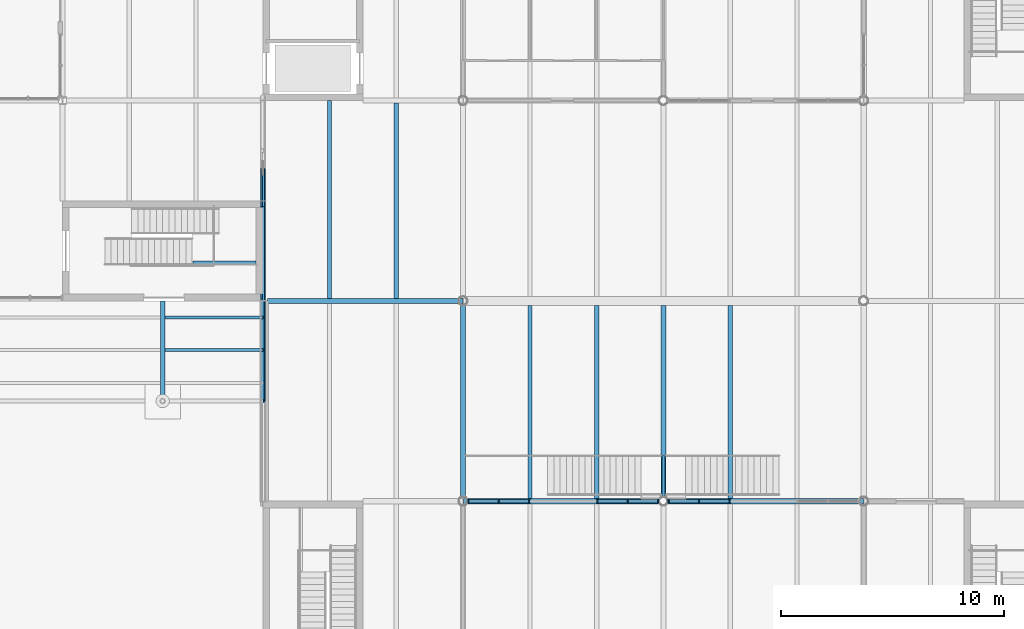
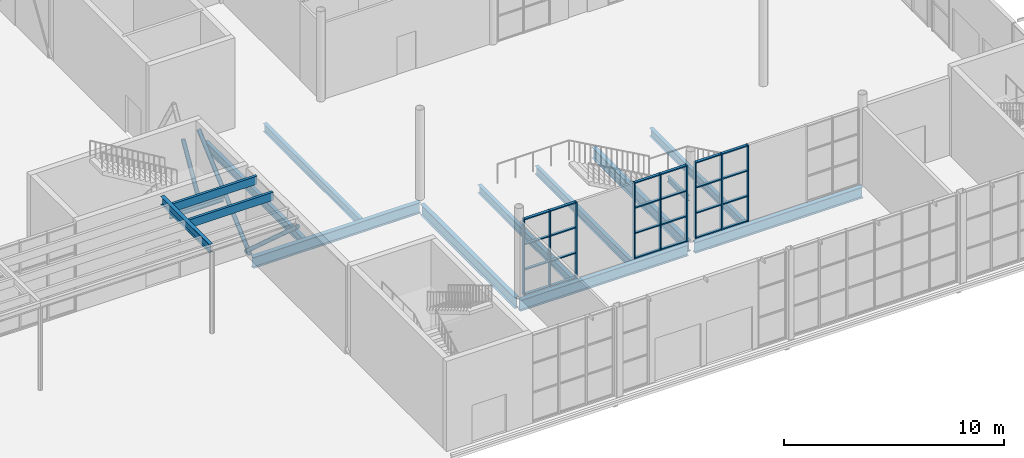
# One storey, part 21 of 63: 36 members, 15 beams, 3 elements without a shape of their own.
"""IFC4 building model written with IfcOpenShell, lengths in metres."""

from ifc_helpers import new_model, si_unit, direction, frame, origin, origin_2d, place, context, subcontext, project, spatial, rectangle, hollow_circle, i_section, extrude, material, layer, layer_set, material_profile, profile_set, type_object, element, aggregate, save


model = new_model("IFC4")

# Units and contexts
model_context = context("Model", 3, precision=1e-05, world=origin(), true_north=direction((0.0, 1.0)))
body_context = subcontext(model_context, "Body", "Model", "MODEL_VIEW")
ifc_project = project(units=[si_unit("LENGTHUNIT", "METRE"), si_unit("AREAUNIT", "SQUARE_METRE"), si_unit("VOLUMEUNIT", "CUBIC_METRE"), si_unit("PLANEANGLEUNIT", "RADIAN"), si_unit("MASSUNIT", "GRAM", prefix="KILO")], contexts=[model_context])

# Site, building, storey
site_placement = place(None, origin())
site = spatial("IfcSite", under=ifc_project, at=site_placement, CompositionType="ELEMENT")
building_placement = place(site_placement, origin())
building = spatial("IfcBuilding", under=site, at=building_placement, Name="Halyard Row Museum", CompositionType="ELEMENT")
storey_placement = place(building_placement, origin())
storey = spatial("IfcBuildingStorey", under=building, at=storey_placement, Name="L00", CompositionType="ELEMENT", Elevation=0.0)

# Members
ifc_material_1 = material(Name="Steel Grade C350L0", Category="steel")
ifc_material_profile_1 = material_profile(ifc_material_1, hollow_circle(Radius=0.109619140625, WallThickness=0.00830078125, at=origin_2d()), Name="219.1x8.2CHS")
ifc_profile_set_1 = profile_set([ifc_material_profile_1], Name="Steel Grade C350L0")
member_type_1 = type_object("IfcMemberType", Name="Brace 219.1x8.2CHS", PredefinedType="BRACE", material=ifc_profile_set_1)
member_1_placement = place(storey_placement, frame((72.0, 18.169921875, 0.109619140625), z_axis=(0.0, -0.744148559148, 0.668014162962), x_axis=(1.0, 0.0, 0.0)))
element("IfcMember", 1, at=member_1_placement, inside=storey, type_object=member_type_1, Name="Brace L00 X72 9-18 B", PredefinedType="BRACE", context=body_context, shape_type="SweptSolid", body=[
    extrude(hollow_circle(Radius=0.109619140625, WallThickness=0.00830078125, at=origin_2d()), origin(), (0.0, 0.0, 1.0), 6.275634765625),
])
member_2_placement = place(storey_placement, frame((72.0, 17.830078125, 0.109619140625), z_axis=(0.0, 0.750200565965, 0.661210337809), x_axis=(-1.0, 0.0, 0.0)))
element("IfcMember", 2, at=member_2_placement, inside=storey, type_object=member_type_1, Name="Brace L00 X72 18-27 A", PredefinedType="BRACE", context=body_context, shape_type="SweptSolid", body=[
    extrude(hollow_circle(Radius=0.109619140625, WallThickness=0.00830078125, at=origin_2d()), origin(), (0.0, 0.0, 1.0), 6.224853515625),
])
member_3_placement = place(storey_placement, frame((72.0, 22.330078125, 0.109619140625), z_axis=(0.0, 0.504405919643, 0.863466657277), x_axis=(-1.0, 0.0, 0.0)))
element("IfcMember", 3, at=member_3_placement, inside=storey, type_object=member_type_1, Name="Brace L00 X72 22.5-27 A", PredefinedType="BRACE", context=body_context, shape_type="SweptSolid", body=[
    extrude(hollow_circle(Radius=0.109619140625, WallThickness=0.00830078125, at=origin_2d()), origin(), (0.0, 0.0, 1.0), 3.1494140625),
])

# Beams
ifc_material_2 = material(Name="Steel Grade 300", Category="steel")
ifc_material_profile_2 = material_profile(ifc_material_2, i_section(OverallWidth=0.18994140625, OverallDepth=0.453857421875, WebThickness=0.008544921875, FlangeThickness=0.0126953125, FilletRadius=0.011474609375, at=origin_2d()), Name="460UB67.1")
ifc_profile_set_2 = profile_set([ifc_material_profile_2], Name="Steel Grade 300")
beam_type_1 = type_object("IfcBeamType", Name="Canopy primary beam 460UB67.1", PredefinedType="BEAM", material=ifc_profile_set_2)
beam_1_placement = place(storey_placement, frame((67.5, 13.5830078125, 4.623046875), z_axis=(0.0, 1.0, 0.0), x_axis=(-1.0, 0.0, 0.0)))
element("IfcBeam", 4, at=beam_1_placement, inside=storey, type_object=beam_type_1, Name="Canopy primary beam 67.5", PredefinedType="BEAM", context=body_context, shape_type="SweptSolid", body=[
    extrude(i_section(OverallWidth=0.18994140625, OverallDepth=0.453857421875, WebThickness=0.008544921875, FlangeThickness=0.0126953125, FilletRadius=0.011474609375, at=origin_2d()), origin(), (0.0, 0.0, 1.0), 4.4169921875),
])
ifc_material_3 = material(Name="Glulam GL12 radiata pine", Category="wood")
ifc_material_profile_3 = material_profile(ifc_material_3, rectangle(XDim=0.135009765625, YDim=0.449951171875, at=origin_2d()), Name="GL12 135x450")
ifc_profile_set_3 = profile_set([ifc_material_profile_3], Name="Glulam GL12 radiata pine")
beam_type_2 = type_object("IfcBeamType", Name="Canopy soffit joist GL12 135x450", PredefinedType="JOIST", material=ifc_profile_set_3)
for number, where, z_axis, x_axis, name in (
    (5, (67.594970703125, 15.79150390625, 4.625), (1.0, 0.0, 0.0), (0.0, 1.0, 0.0), "Canopy soffit joist 6.2"),
    (6, (67.594970703125, 17.263916015625, 4.625), (1.0, 0.0, 0.0), (0.0, 1.0, 0.0), "Canopy soffit joist 6.3"),
):
    element("IfcBeam", number, at=place(storey_placement, frame(where, z_axis=z_axis, x_axis=x_axis)), inside=storey, type_object=beam_type_2, Name=name, PredefinedType="JOIST", context=body_context, shape_type="SweptSolid", body=[
        extrude(rectangle(XDim=0.135009765625, YDim=0.449951171875, at=origin_2d()), origin(), (0.0, 0.0, 1.0), 4.405029296875),
    ])

# Curtain wall, members
ifc_material_4 = material(Name="Double glazed unit, low-emissivity", Category="glass")
ifc_layer = layer(ifc_material_4, 0.179931640625)
ifc_layer_set = layer_set([ifc_layer], Name="Double glazed unit, low-emissivity")
curtain_wall_type = type_object("IfcCurtainWallType", Name="Curtain wall stick 180 deep", PredefinedType="NOTDEFINED", material=ifc_layer_set)
curtain_wall_1_placement = place(storey_placement, origin())
curtain_wall_1 = element("IfcCurtainWall", 7, at=curtain_wall_1_placement, inside=storey, type_object=curtain_wall_type, Name="Curtain wall CW134", PredefinedType="NOTDEFINED")
ifc_material_5 = material(Name="Powder-coated aluminium section", Category="aluminium")
ifc_material_profile_4 = material_profile(ifc_material_5, rectangle(XDim=0.179931640625, YDim=0.06005859375, at=origin_2d()), Name="180x60 mullion")
ifc_profile_set_4 = profile_set([ifc_material_profile_4], Name="Powder-coated aluminium section")
member_type_2 = type_object("IfcMemberType", Name="Curtain wall mullion CM2 60 x 180", PredefinedType="MULLION", material=ifc_profile_set_4)
member_4_placement = place(storey_placement, frame((81.233154296875, 9.0, 0.0), z_axis=(0.0, 0.0, 1.0), x_axis=(0.0, 1.0, 0.0)))
member_4 = element("IfcMember", 8, at=member_4_placement, type_object=member_type_2, Name="CW134 mullion 1", PredefinedType="MULLION", context=body_context, shape_type="SweptSolid", body=[
    extrude(rectangle(XDim=0.179931640625, YDim=0.06005859375, at=origin_2d()), origin(), (0.0, 0.0, 1.0), 4.22802734375),
])
member_5_placement = place(storey_placement, frame((82.6015625, 9.0, 0.0), z_axis=(0.0, 0.0, 1.0), x_axis=(0.0, 1.0, 0.0)))
member_5 = element("IfcMember", 9, at=member_5_placement, type_object=member_type_2, Name="CW134 mullion 2", PredefinedType="MULLION", context=body_context, shape_type="SweptSolid", body=[
    extrude(rectangle(XDim=0.179931640625, YDim=0.06005859375, at=origin_2d()), origin(), (0.0, 0.0, 1.0), 4.22802734375),
])
member_6_placement = place(storey_placement, frame((83.969970703125, 9.0, 0.0), z_axis=(0.0, 0.0, 1.0), x_axis=(0.0, 1.0, 0.0)))
member_6 = element("IfcMember", 10, at=member_6_placement, type_object=member_type_2, Name="CW134 mullion 3", PredefinedType="MULLION", context=body_context, shape_type="SweptSolid", body=[
    extrude(rectangle(XDim=0.179931640625, YDim=0.06005859375, at=origin_2d()), origin(), (0.0, 0.0, 1.0), 4.22802734375),
])

curtain_wall_2_placement = place(storey_placement, origin())
curtain_wall_2 = element("IfcCurtainWall", 11, at=curtain_wall_2_placement, inside=storey, type_object=curtain_wall_type, Name="Curtain wall CW135", PredefinedType="NOTDEFINED")
member_7_placement = place(storey_placement, frame((87.030029296875, 9.0, 0.0), z_axis=(0.0, 0.0, 1.0), x_axis=(0.0, 1.0, 0.0)))
member_7 = element("IfcMember", 12, at=member_7_placement, type_object=member_type_2, Name="CW135 mullion 1", PredefinedType="MULLION", context=body_context, shape_type="SweptSolid", body=[
    extrude(rectangle(XDim=0.179931640625, YDim=0.06005859375, at=origin_2d()), origin(), (0.0, 0.0, 1.0), 4.22802734375),
])
member_8_placement = place(storey_placement, frame((88.3984375, 9.0, 0.0), z_axis=(0.0, 0.0, 1.0), x_axis=(0.0, 1.0, 0.0)))
member_8 = element("IfcMember", 13, at=member_8_placement, type_object=member_type_2, Name="CW135 mullion 2", PredefinedType="MULLION", context=body_context, shape_type="SweptSolid", body=[
    extrude(rectangle(XDim=0.179931640625, YDim=0.06005859375, at=origin_2d()), origin(), (0.0, 0.0, 1.0), 4.22802734375),
])
member_9_placement = place(storey_placement, frame((89.766845703125, 9.0, 0.0), z_axis=(0.0, 0.0, 1.0), x_axis=(0.0, 1.0, 0.0)))
member_9 = element("IfcMember", 14, at=member_9_placement, type_object=member_type_2, Name="CW135 mullion 3", PredefinedType="MULLION", context=body_context, shape_type="SweptSolid", body=[
    extrude(rectangle(XDim=0.179931640625, YDim=0.06005859375, at=origin_2d()), origin(), (0.0, 0.0, 1.0), 4.22802734375),
])

curtain_wall_3_placement = place(storey_placement, origin())
curtain_wall_3 = element("IfcCurtainWall", 15, at=curtain_wall_3_placement, inside=storey, type_object=curtain_wall_type, Name="Curtain wall CW136", PredefinedType="NOTDEFINED")
member_10_placement = place(storey_placement, frame((90.233154296875, 9.0, 0.0), z_axis=(0.0, 0.0, 1.0), x_axis=(0.0, 1.0, 0.0)))
member_10 = element("IfcMember", 16, at=member_10_placement, type_object=member_type_2, Name="CW136 mullion 1", PredefinedType="MULLION", context=body_context, shape_type="SweptSolid", body=[
    extrude(rectangle(XDim=0.179931640625, YDim=0.06005859375, at=origin_2d()), origin(), (0.0, 0.0, 1.0), 4.22802734375),
])
member_11_placement = place(storey_placement, frame((91.6015625, 9.0, 0.0), z_axis=(0.0, 0.0, 1.0), x_axis=(0.0, 1.0, 0.0)))
member_11 = element("IfcMember", 17, at=member_11_placement, type_object=member_type_2, Name="CW136 mullion 2", PredefinedType="MULLION", context=body_context, shape_type="SweptSolid", body=[
    extrude(rectangle(XDim=0.179931640625, YDim=0.06005859375, at=origin_2d()), origin(), (0.0, 0.0, 1.0), 4.22802734375),
])
member_12_placement = place(storey_placement, frame((92.969970703125, 9.0, 0.0), z_axis=(0.0, 0.0, 1.0), x_axis=(0.0, 1.0, 0.0)))
member_12 = element("IfcMember", 18, at=member_12_placement, type_object=member_type_2, Name="CW136 mullion 3", PredefinedType="MULLION", context=body_context, shape_type="SweptSolid", body=[
    extrude(rectangle(XDim=0.179931640625, YDim=0.06005859375, at=origin_2d()), origin(), (0.0, 0.0, 1.0), 4.22802734375),
])

# Member
ifc_material_6 = material(Name="Powder-coated aluminium section", Category="aluminium")
ifc_material_profile_5 = material_profile(ifc_material_6, rectangle(XDim=0.139892578125, YDim=0.06005859375, at=origin_2d()), Name="140x60 transom")
ifc_profile_set_5 = profile_set([ifc_material_profile_5], Name="Powder-coated aluminium section")
member_type_3 = type_object("IfcMemberType", Name="Curtain wall transom CT2 60 x 140", PredefinedType="USERDEFINED", material=ifc_profile_set_5)
member_13_placement = place(storey_placement, frame((81.26318359375, 9.0, 0.030029296875), z_axis=(1.0, 0.0, 0.0), x_axis=(0.0, 1.0, 0.0)))
member_13 = element("IfcMember", 19, at=member_13_placement, type_object=member_type_3, Name="CW134 transom 1.1", ObjectType="TRANSOM", PredefinedType="USERDEFINED", context=body_context, shape_type="SweptSolid", body=[
    extrude(rectangle(XDim=0.139892578125, YDim=0.06005859375, at=origin_2d()), origin(), (0.0, 0.0, 1.0), 1.308349609375),
])

member_14_placement = place(storey_placement, frame((81.26318359375, 9.0, 1.409423828125), z_axis=(1.0, 0.0, 0.0), x_axis=(0.0, 1.0, 0.0)))
member_14 = element("IfcMember", 20, at=member_14_placement, type_object=member_type_3, Name="CW134 transom 1.2", ObjectType="TRANSOM", PredefinedType="USERDEFINED", context=body_context, shape_type="SweptSolid", body=[
    extrude(rectangle(XDim=0.139892578125, YDim=0.06005859375, at=origin_2d()), origin(), (0.0, 0.0, 1.0), 1.308349609375),
])

member_15_placement = place(storey_placement, frame((81.26318359375, 9.0, 2.818603515625), z_axis=(1.0, 0.0, 0.0), x_axis=(0.0, 1.0, 0.0)))
member_15 = element("IfcMember", 21, at=member_15_placement, type_object=member_type_3, Name="CW134 transom 1.3", ObjectType="TRANSOM", PredefinedType="USERDEFINED", context=body_context, shape_type="SweptSolid", body=[
    extrude(rectangle(XDim=0.139892578125, YDim=0.06005859375, at=origin_2d()), origin(), (0.0, 0.0, 1.0), 1.308349609375),
])

member_16_placement = place(storey_placement, frame((81.26318359375, 9.0, 4.197998046875), z_axis=(1.0, 0.0, 0.0), x_axis=(0.0, 1.0, 0.0)))
member_16 = element("IfcMember", 22, at=member_16_placement, type_object=member_type_3, Name="CW134 transom 1.4", ObjectType="TRANSOM", PredefinedType="USERDEFINED", context=body_context, shape_type="SweptSolid", body=[
    extrude(rectangle(XDim=0.139892578125, YDim=0.06005859375, at=origin_2d()), origin(), (0.0, 0.0, 1.0), 1.308349609375),
])

member_17_placement = place(storey_placement, frame((82.631591796875, 9.0, 0.030029296875), z_axis=(1.0, 0.0, 0.0), x_axis=(0.0, 1.0, 0.0)))
member_17 = element("IfcMember", 23, at=member_17_placement, type_object=member_type_3, Name="CW134 transom 2.1", ObjectType="TRANSOM", PredefinedType="USERDEFINED", context=body_context, shape_type="SweptSolid", body=[
    extrude(rectangle(XDim=0.139892578125, YDim=0.06005859375, at=origin_2d()), origin(), (0.0, 0.0, 1.0), 1.308349609375),
])

member_18_placement = place(storey_placement, frame((82.631591796875, 9.0, 1.409423828125), z_axis=(1.0, 0.0, 0.0), x_axis=(0.0, 1.0, 0.0)))
member_18 = element("IfcMember", 24, at=member_18_placement, type_object=member_type_3, Name="CW134 transom 2.2", ObjectType="TRANSOM", PredefinedType="USERDEFINED", context=body_context, shape_type="SweptSolid", body=[
    extrude(rectangle(XDim=0.139892578125, YDim=0.06005859375, at=origin_2d()), origin(), (0.0, 0.0, 1.0), 1.308349609375),
])

member_19_placement = place(storey_placement, frame((82.631591796875, 9.0, 2.818603515625), z_axis=(1.0, 0.0, 0.0), x_axis=(0.0, 1.0, 0.0)))
member_19 = element("IfcMember", 25, at=member_19_placement, type_object=member_type_3, Name="CW134 transom 2.3", ObjectType="TRANSOM", PredefinedType="USERDEFINED", context=body_context, shape_type="SweptSolid", body=[
    extrude(rectangle(XDim=0.139892578125, YDim=0.06005859375, at=origin_2d()), origin(), (0.0, 0.0, 1.0), 1.308349609375),
])

member_20_placement = place(storey_placement, frame((82.631591796875, 9.0, 4.197998046875), z_axis=(1.0, 0.0, 0.0), x_axis=(0.0, 1.0, 0.0)))
member_20 = element("IfcMember", 26, at=member_20_placement, type_object=member_type_3, Name="CW134 transom 2.4", ObjectType="TRANSOM", PredefinedType="USERDEFINED", context=body_context, shape_type="SweptSolid", body=[
    extrude(rectangle(XDim=0.139892578125, YDim=0.06005859375, at=origin_2d()), origin(), (0.0, 0.0, 1.0), 1.308349609375),
])

aggregate(curtain_wall_1, [member_4, member_5, member_6, member_13, member_14, member_15, member_16, member_17, member_18, member_19, member_20])

member_21_placement = place(storey_placement, frame((87.06005859375, 9.0, 0.030029296875), z_axis=(1.0, 0.0, 0.0), x_axis=(0.0, 1.0, 0.0)))
member_21 = element("IfcMember", 27, at=member_21_placement, type_object=member_type_3, Name="CW135 transom 1.1", ObjectType="TRANSOM", PredefinedType="USERDEFINED", context=body_context, shape_type="SweptSolid", body=[
    extrude(rectangle(XDim=0.139892578125, YDim=0.06005859375, at=origin_2d()), origin(), (0.0, 0.0, 1.0), 1.308349609375),
])

member_22_placement = place(storey_placement, frame((87.06005859375, 9.0, 1.409423828125), z_axis=(1.0, 0.0, 0.0), x_axis=(0.0, 1.0, 0.0)))
member_22 = element("IfcMember", 28, at=member_22_placement, type_object=member_type_3, Name="CW135 transom 1.2", ObjectType="TRANSOM", PredefinedType="USERDEFINED", context=body_context, shape_type="SweptSolid", body=[
    extrude(rectangle(XDim=0.139892578125, YDim=0.06005859375, at=origin_2d()), origin(), (0.0, 0.0, 1.0), 1.308349609375),
])

member_23_placement = place(storey_placement, frame((87.06005859375, 9.0, 2.818603515625), z_axis=(1.0, 0.0, 0.0), x_axis=(0.0, 1.0, 0.0)))
member_23 = element("IfcMember", 29, at=member_23_placement, type_object=member_type_3, Name="CW135 transom 1.3", ObjectType="TRANSOM", PredefinedType="USERDEFINED", context=body_context, shape_type="SweptSolid", body=[
    extrude(rectangle(XDim=0.139892578125, YDim=0.06005859375, at=origin_2d()), origin(), (0.0, 0.0, 1.0), 1.308349609375),
])

member_24_placement = place(storey_placement, frame((87.06005859375, 9.0, 4.197998046875), z_axis=(1.0, 0.0, 0.0), x_axis=(0.0, 1.0, 0.0)))
member_24 = element("IfcMember", 30, at=member_24_placement, type_object=member_type_3, Name="CW135 transom 1.4", ObjectType="TRANSOM", PredefinedType="USERDEFINED", context=body_context, shape_type="SweptSolid", body=[
    extrude(rectangle(XDim=0.139892578125, YDim=0.06005859375, at=origin_2d()), origin(), (0.0, 0.0, 1.0), 1.308349609375),
])

member_25_placement = place(storey_placement, frame((88.428466796875, 9.0, 0.030029296875), z_axis=(1.0, 0.0, 0.0), x_axis=(0.0, 1.0, 0.0)))
member_25 = element("IfcMember", 31, at=member_25_placement, type_object=member_type_3, Name="CW135 transom 2.1", ObjectType="TRANSOM", PredefinedType="USERDEFINED", context=body_context, shape_type="SweptSolid", body=[
    extrude(rectangle(XDim=0.139892578125, YDim=0.06005859375, at=origin_2d()), origin(), (0.0, 0.0, 1.0), 1.308349609375),
])

member_26_placement = place(storey_placement, frame((88.428466796875, 9.0, 1.409423828125), z_axis=(1.0, 0.0, 0.0), x_axis=(0.0, 1.0, 0.0)))
member_26 = element("IfcMember", 32, at=member_26_placement, type_object=member_type_3, Name="CW135 transom 2.2", ObjectType="TRANSOM", PredefinedType="USERDEFINED", context=body_context, shape_type="SweptSolid", body=[
    extrude(rectangle(XDim=0.139892578125, YDim=0.06005859375, at=origin_2d()), origin(), (0.0, 0.0, 1.0), 1.308349609375),
])

member_27_placement = place(storey_placement, frame((88.428466796875, 9.0, 2.818603515625), z_axis=(1.0, 0.0, 0.0), x_axis=(0.0, 1.0, 0.0)))
member_27 = element("IfcMember", 33, at=member_27_placement, type_object=member_type_3, Name="CW135 transom 2.3", ObjectType="TRANSOM", PredefinedType="USERDEFINED", context=body_context, shape_type="SweptSolid", body=[
    extrude(rectangle(XDim=0.139892578125, YDim=0.06005859375, at=origin_2d()), origin(), (0.0, 0.0, 1.0), 1.308349609375),
])

member_28_placement = place(storey_placement, frame((88.428466796875, 9.0, 4.197998046875), z_axis=(1.0, 0.0, 0.0), x_axis=(0.0, 1.0, 0.0)))
member_28 = element("IfcMember", 34, at=member_28_placement, type_object=member_type_3, Name="CW135 transom 2.4", ObjectType="TRANSOM", PredefinedType="USERDEFINED", context=body_context, shape_type="SweptSolid", body=[
    extrude(rectangle(XDim=0.139892578125, YDim=0.06005859375, at=origin_2d()), origin(), (0.0, 0.0, 1.0), 1.308349609375),
])

aggregate(curtain_wall_2, [member_7, member_8, member_9, member_21, member_22, member_23, member_24, member_25, member_26, member_27, member_28])

member_29_placement = place(storey_placement, frame((90.26318359375, 9.0, 0.030029296875), z_axis=(1.0, 0.0, 0.0), x_axis=(0.0, 1.0, 0.0)))
member_29 = element("IfcMember", 35, at=member_29_placement, type_object=member_type_3, Name="CW136 transom 1.1", ObjectType="TRANSOM", PredefinedType="USERDEFINED", context=body_context, shape_type="SweptSolid", body=[
    extrude(rectangle(XDim=0.139892578125, YDim=0.06005859375, at=origin_2d()), origin(), (0.0, 0.0, 1.0), 1.308349609375),
])

member_30_placement = place(storey_placement, frame((90.26318359375, 9.0, 1.409423828125), z_axis=(1.0, 0.0, 0.0), x_axis=(0.0, 1.0, 0.0)))
member_30 = element("IfcMember", 36, at=member_30_placement, type_object=member_type_3, Name="CW136 transom 1.2", ObjectType="TRANSOM", PredefinedType="USERDEFINED", context=body_context, shape_type="SweptSolid", body=[
    extrude(rectangle(XDim=0.139892578125, YDim=0.06005859375, at=origin_2d()), origin(), (0.0, 0.0, 1.0), 1.308349609375),
])

member_31_placement = place(storey_placement, frame((90.26318359375, 9.0, 2.818603515625), z_axis=(1.0, 0.0, 0.0), x_axis=(0.0, 1.0, 0.0)))
member_31 = element("IfcMember", 37, at=member_31_placement, type_object=member_type_3, Name="CW136 transom 1.3", ObjectType="TRANSOM", PredefinedType="USERDEFINED", context=body_context, shape_type="SweptSolid", body=[
    extrude(rectangle(XDim=0.139892578125, YDim=0.06005859375, at=origin_2d()), origin(), (0.0, 0.0, 1.0), 1.308349609375),
])

member_32_placement = place(storey_placement, frame((90.26318359375, 9.0, 4.197998046875), z_axis=(1.0, 0.0, 0.0), x_axis=(0.0, 1.0, 0.0)))
member_32 = element("IfcMember", 38, at=member_32_placement, type_object=member_type_3, Name="CW136 transom 1.4", ObjectType="TRANSOM", PredefinedType="USERDEFINED", context=body_context, shape_type="SweptSolid", body=[
    extrude(rectangle(XDim=0.139892578125, YDim=0.06005859375, at=origin_2d()), origin(), (0.0, 0.0, 1.0), 1.308349609375),
])

member_33_placement = place(storey_placement, frame((91.631591796875, 9.0, 0.030029296875), z_axis=(1.0, 0.0, 0.0), x_axis=(0.0, 1.0, 0.0)))
member_33 = element("IfcMember", 39, at=member_33_placement, type_object=member_type_3, Name="CW136 transom 2.1", ObjectType="TRANSOM", PredefinedType="USERDEFINED", context=body_context, shape_type="SweptSolid", body=[
    extrude(rectangle(XDim=0.139892578125, YDim=0.06005859375, at=origin_2d()), origin(), (0.0, 0.0, 1.0), 1.308349609375),
])

member_34_placement = place(storey_placement, frame((91.631591796875, 9.0, 1.409423828125), z_axis=(1.0, 0.0, 0.0), x_axis=(0.0, 1.0, 0.0)))
member_34 = element("IfcMember", 40, at=member_34_placement, type_object=member_type_3, Name="CW136 transom 2.2", ObjectType="TRANSOM", PredefinedType="USERDEFINED", context=body_context, shape_type="SweptSolid", body=[
    extrude(rectangle(XDim=0.139892578125, YDim=0.06005859375, at=origin_2d()), origin(), (0.0, 0.0, 1.0), 1.308349609375),
])

member_35_placement = place(storey_placement, frame((91.631591796875, 9.0, 2.818603515625), z_axis=(1.0, 0.0, 0.0), x_axis=(0.0, 1.0, 0.0)))
member_35 = element("IfcMember", 41, at=member_35_placement, type_object=member_type_3, Name="CW136 transom 2.3", ObjectType="TRANSOM", PredefinedType="USERDEFINED", context=body_context, shape_type="SweptSolid", body=[
    extrude(rectangle(XDim=0.139892578125, YDim=0.06005859375, at=origin_2d()), origin(), (0.0, 0.0, 1.0), 1.308349609375),
])

member_36_placement = place(storey_placement, frame((91.631591796875, 9.0, 4.197998046875), z_axis=(1.0, 0.0, 0.0), x_axis=(0.0, 1.0, 0.0)))
member_36 = element("IfcMember", 42, at=member_36_placement, type_object=member_type_3, Name="CW136 transom 2.4", ObjectType="TRANSOM", PredefinedType="USERDEFINED", context=body_context, shape_type="SweptSolid", body=[
    extrude(rectangle(XDim=0.139892578125, YDim=0.06005859375, at=origin_2d()), origin(), (0.0, 0.0, 1.0), 1.308349609375),
])

aggregate(curtain_wall_3, [member_10, member_11, member_12, member_29, member_30, member_31, member_32, member_33, member_34, member_35, member_36])

# Beams
ifc_material_7 = material(Name="Steel Grade 300", Category="steel")
ifc_material_profile_6 = material_profile(ifc_material_7, i_section(OverallWidth=0.22900390625, OverallDepth=0.611572265625, WebThickness=0.011962890625, FlangeThickness=0.01953125, FilletRadius=0.013916015625, at=origin_2d()), Name="610UB125")
ifc_profile_set_6 = profile_set([ifc_material_profile_6], Name="Steel Grade 300")
beam_type_3 = type_object("IfcBeamType", Name="Girder beam 610UB125", PredefinedType="BEAM", material=ifc_profile_set_6)
for number, where, z_axis, x_axis, name in (
    (43, (81.012451171875, 9.0, -0.470703125), (1.0, 0.0, 0.0), (0.0, 1.0, 0.0), "Beam L00-005"),
    (44, (90.175048828125, 9.0, -0.470703125), (1.0, 0.0, 0.0), (0.0, 1.0, 0.0), "Beam L00-006"),
):
    element("IfcBeam", number, at=place(storey_placement, frame(where, z_axis=z_axis, x_axis=x_axis)), inside=storey, type_object=beam_type_3, Name=name, PredefinedType="BEAM", context=body_context, shape_type="SweptSolid", body=[
        extrude(i_section(OverallWidth=0.22900390625, OverallDepth=0.611572265625, WebThickness=0.011962890625, FlangeThickness=0.01953125, FilletRadius=0.013916015625, at=origin_2d()), origin(), (0.0, 0.0, 1.0), 8.8125),
    ])
beam_2_placement = place(storey_placement, frame((72.199951171875, 18.0, -0.470703125), z_axis=(1.0, 0.0, 0.0), x_axis=(0.0, 1.0, 0.0)))
element("IfcBeam", 45, at=beam_2_placement, inside=storey, type_object=beam_type_3, Name="Beam L00-011", PredefinedType="BEAM", context=body_context, shape_type="SweptSolid", body=[
    extrude(i_section(OverallWidth=0.22900390625, OverallDepth=0.611572265625, WebThickness=0.011962890625, FlangeThickness=0.01953125, FilletRadius=0.013916015625, at=origin_2d()), origin(), (0.0, 0.0, 1.0), 8.78759765625),
])
beam_3_placement = place(storey_placement, frame((81.0, 9.20703125, -0.470703125), z_axis=(0.0, 1.0, 0.0), x_axis=(-1.0, 0.0, 0.0)))
element("IfcBeam", 46, at=beam_3_placement, inside=storey, type_object=beam_type_3, Name="Beam L00-062", PredefinedType="BEAM", context=body_context, shape_type="SweptSolid", body=[
    extrude(i_section(OverallWidth=0.22900390625, OverallDepth=0.611572265625, WebThickness=0.011962890625, FlangeThickness=0.01953125, FilletRadius=0.013916015625, at=origin_2d()), origin(), (0.0, 0.0, 1.0), 8.5859375),
])
beam_4_placement = place(storey_placement, frame((90.0, 9.16943359375, -0.470703125), z_axis=(0.0, 1.0, 0.0), x_axis=(-1.0, 0.0, 0.0)))
element("IfcBeam", 47, at=beam_4_placement, inside=storey, type_object=beam_type_3, Name="Beam L00-067", PredefinedType="BEAM", context=body_context, shape_type="SweptSolid", body=[
    extrude(i_section(OverallWidth=0.22900390625, OverallDepth=0.611572265625, WebThickness=0.011962890625, FlangeThickness=0.01953125, FilletRadius=0.013916015625, at=origin_2d()), origin(), (0.0, 0.0, 1.0), 8.630615234375),
])
ifc_material_8 = material(Name="Steel Grade 300", Category="steel")
ifc_material_profile_7 = material_profile(ifc_material_8, i_section(OverallWidth=0.14892578125, OverallDepth=0.298095703125, WebThickness=0.005615234375, FlangeThickness=0.008056640625, FilletRadius=0.012939453125, at=origin_2d()), Name="310UB32.0")
ifc_profile_set_7 = profile_set([ifc_material_profile_7], Name="Steel Grade 300")
beam_type_4 = type_object("IfcBeamType", Name="Landing bracket 310UB32.0", PredefinedType="BEAM", material=ifc_profile_set_7)
beam_5_placement = place(storey_placement, frame((90.0, 9.2001953125, 2.15087890625), z_axis=(0.0, 1.0, 0.0), x_axis=(-1.0, 0.0, 0.0)))
element("IfcBeam", 48, at=beam_5_placement, inside=storey, type_object=beam_type_4, Name="Feature stair landing bracket L00", PredefinedType="BEAM", context=body_context, shape_type="SweptSolid", body=[
    extrude(i_section(OverallWidth=0.14892578125, OverallDepth=0.298095703125, WebThickness=0.005615234375, FlangeThickness=0.008056640625, FilletRadius=0.012939453125, at=origin_2d()), origin(), (0.0, 0.0, 1.0), 1.849853515625),
])
ifc_material_9 = material(Name="Steel Grade 300", Category="steel")
ifc_material_profile_8 = material_profile(ifc_material_9, i_section(OverallWidth=0.1240234375, OverallDepth=0.248046875, WebThickness=0.0048828125, FlangeThickness=0.008056640625, FilletRadius=0.011962890625, at=origin_2d()), Name="250UB25.7")
ifc_profile_set_8 = profile_set([ifc_material_profile_8], Name="Steel Grade 300")
beam_type_5 = type_object("IfcBeamType", Name="Landing trimmer 250UB25.7", PredefinedType="BEAM", material=ifc_profile_set_8)
beam_6_placement = place(storey_placement, frame((71.702880859375, 19.721923828125, 2.176025390625), z_axis=(-1.0, 0.0, 0.0), x_axis=(0.0, -1.0, 0.0)))
element("IfcBeam", 49, at=beam_6_placement, inside=storey, type_object=beam_type_5, Name="Landing ledger K1C L00 1", PredefinedType="BEAM", context=body_context, shape_type="SweptSolid", body=[
    extrude(i_section(OverallWidth=0.1240234375, OverallDepth=0.248046875, WebThickness=0.0048828125, FlangeThickness=0.008056640625, FilletRadius=0.011962890625, at=origin_2d()), origin(), (0.0, 0.0, 1.0), 2.832763671875),
])
ifc_material_10 = material(Name="Steel Grade 300", Category="steel")
ifc_material_profile_9 = material_profile(ifc_material_10, i_section(OverallWidth=0.18994140625, OverallDepth=0.453857421875, WebThickness=0.008544921875, FlangeThickness=0.0126953125, FilletRadius=0.011474609375, at=origin_2d()), Name="460UB67.1")
ifc_profile_set_9 = profile_set([ifc_material_profile_9], Name="Steel Grade 300")
beam_type_6 = type_object("IfcBeamType", Name="Secondary beam 460UB67.1", PredefinedType="BEAM", material=ifc_profile_set_9)
for number, where, z_axis, x_axis, name in (
    (50, (84.0, 9.114501953125, -0.391845703125), (0.0, 1.0, 0.0), (-1.0, 0.0, 0.0), "Beam L00-097"),
    (51, (87.0, 9.114501953125, -0.391845703125), (0.0, 1.0, 0.0), (-1.0, 0.0, 0.0), "Beam L00-098"),
    (52, (93.0, 9.114501953125, -0.391845703125), (0.0, 1.0, 0.0), (-1.0, 0.0, 0.0), "Beam L00-099"),
):
    element("IfcBeam", number, at=place(storey_placement, frame(where, z_axis=z_axis, x_axis=x_axis)), inside=storey, type_object=beam_type_6, Name=name, PredefinedType="BEAM", context=body_context, shape_type="SweptSolid", body=[
        extrude(i_section(OverallWidth=0.18994140625, OverallDepth=0.453857421875, WebThickness=0.008544921875, FlangeThickness=0.0126953125, FilletRadius=0.011474609375, at=origin_2d()), origin(), (0.0, 0.0, 1.0), 8.685546875),
    ])
beam_7_placement = place(storey_placement, frame((75.0, 18.114501953125, -0.391845703125), z_axis=(0.0, 1.0, 0.0), x_axis=(-1.0, 0.0, 0.0)))
element("IfcBeam", 53, at=beam_7_placement, inside=storey, type_object=beam_type_6, Name="Beam L00-105", PredefinedType="BEAM", context=body_context, shape_type="SweptSolid", body=[
    extrude(i_section(OverallWidth=0.18994140625, OverallDepth=0.453857421875, WebThickness=0.008544921875, FlangeThickness=0.0126953125, FilletRadius=0.011474609375, at=origin_2d()), origin(), (0.0, 0.0, 1.0), 8.885498046875),
])
beam_8_placement = place(storey_placement, frame((78.0, 18.114501953125, -0.391845703125), z_axis=(0.0, 1.0, 0.0), x_axis=(-1.0, 0.0, 0.0)))
element("IfcBeam", 54, at=beam_8_placement, inside=storey, type_object=beam_type_6, Name="Beam L00-106", PredefinedType="BEAM", context=body_context, shape_type="SweptSolid", body=[
    extrude(i_section(OverallWidth=0.18994140625, OverallDepth=0.453857421875, WebThickness=0.008544921875, FlangeThickness=0.0126953125, FilletRadius=0.011474609375, at=origin_2d()), origin(), (0.0, 0.0, 1.0), 8.77099609375),
])

save(model, "model.ifc")
